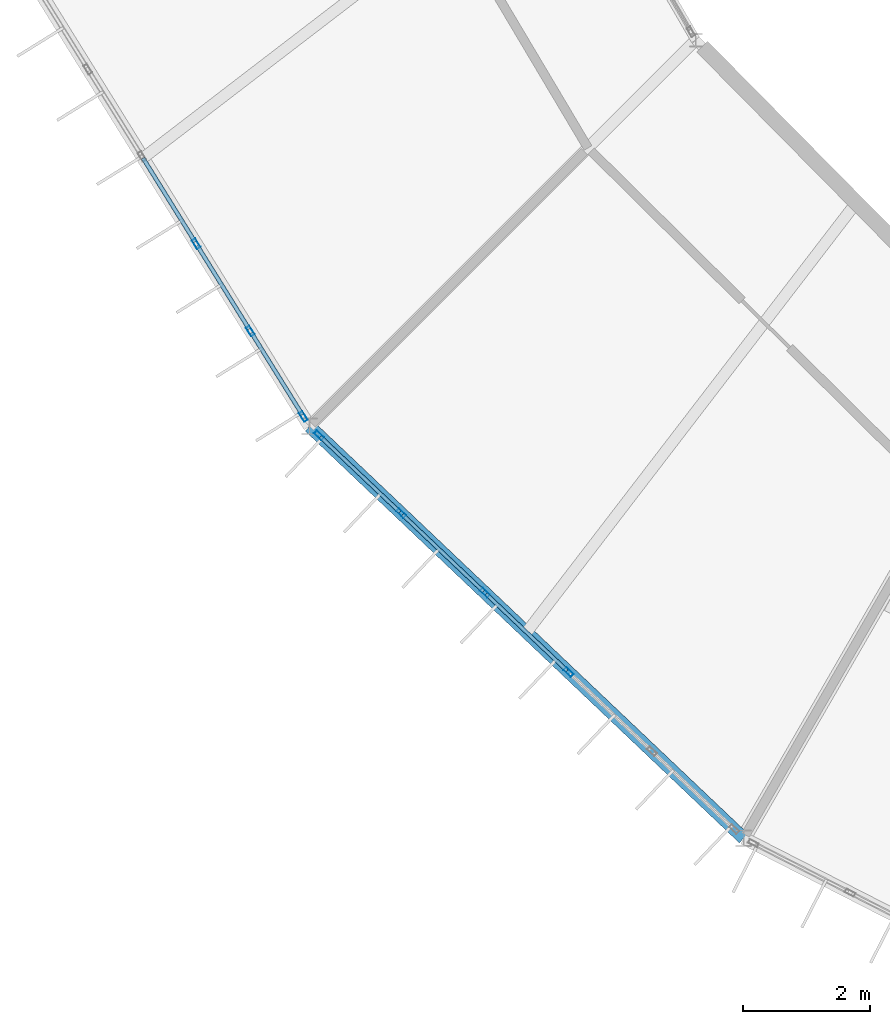
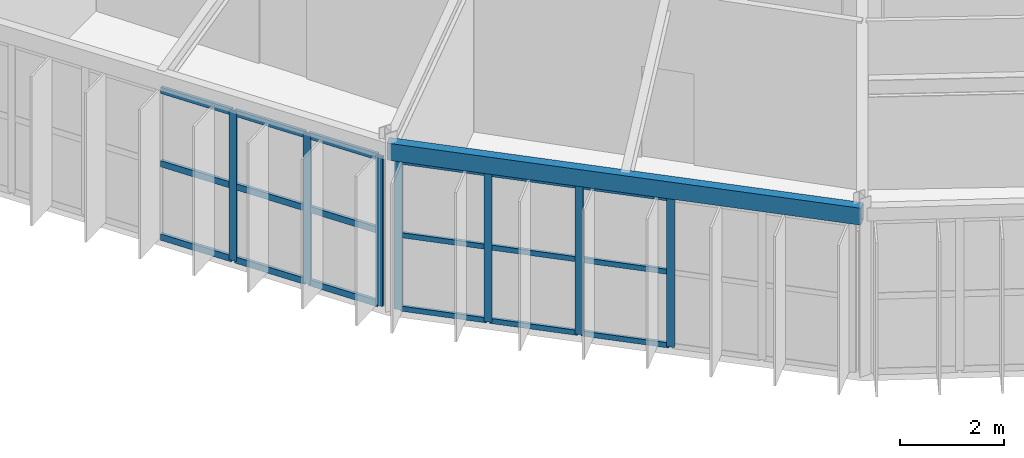
# One storey, part 23 of 134: 25 members, 1 beam, 2 elements without a shape of their own.
"""IFC4 building model written with IfcOpenShell, lengths in metres."""

from ifc_helpers import new_model, si_unit, direction, frame, origin, origin_2d, place, context, subcontext, project, spatial, hollow_rectangle, extrude, material, material_profile, profile_set, type_object, element, aggregate, save


model = new_model("IFC4")

# Units and contexts
model_context = context("Model", 3, precision=1e-05, world=origin(), true_north=direction((0.0, 1.0)))
body_context = subcontext(model_context, "Body", "Model", "MODEL_VIEW")
ifc_project = project(units=[si_unit("LENGTHUNIT", "METRE"), si_unit("AREAUNIT", "SQUARE_METRE"), si_unit("VOLUMEUNIT", "CUBIC_METRE"), si_unit("PLANEANGLEUNIT", "RADIAN"), si_unit("MASSUNIT", "GRAM", prefix="KILO")], contexts=[model_context])

# Site, building, storey
site_placement = place(None, origin())
site = spatial("IfcSite", under=ifc_project, at=site_placement, CompositionType="ELEMENT")
building_placement = place(site_placement, origin())
building = spatial("IfcBuilding", under=site, at=building_placement, Name="Karori Crest Natural Sciences Institute", CompositionType="ELEMENT")
storey_placement = place(building_placement, frame((0.0, 0.0, 21.699951171875)))
storey = spatial("IfcBuildingStorey", under=building, at=storey_placement, Name="L05", CompositionType="ELEMENT", Elevation=21.699951171875)

# Beam
ifc_material_1 = material(Name="Hollow structural steel AS/NZS 1163 Grade C350", Category="steel")
ifc_material_profile_1 = material_profile(ifc_material_1, hollow_rectangle(XDim=0.199951171875, YDim=0.39990234375, WallThickness=0.012451171875, at=origin_2d()), Name="RHS400x200x12.5")
ifc_profile_set_1 = profile_set([ifc_material_profile_1], Name="Hollow structural steel AS/NZS 1163 Grade C350")
beam_type = type_object("IfcBeamType", Name="BT-14", PredefinedType="SPANDREL", material=ifc_profile_set_1)
beam_placement = place(storey_placement, frame((43.0654296875, 21.050048828125, 3.739990234375), z_axis=(0.72546900706, -0.688254836376, 0.0), x_axis=(0.688254836376, 0.72546900706, 0.0)))
element("IfcBeam", 1, at=beam_placement, inside=storey, type_object=beam_type, Name="Beam B-0689", PredefinedType="SPANDREL", context=body_context, shape_type="SweptSolid", body=[
    extrude(hollow_rectangle(XDim=0.199951171875, YDim=0.39990234375, WallThickness=0.012451171875, at=origin_2d()), origin(), (0.0, 0.0, 1.0), 9.420654296875),
])

# Curtain wall, members
ifc_material_2 = material(Name="Anodised architectural aluminium 6063-T6", Category="aluminium")
curtain_wall_type_1 = type_object("IfcCurtainWallType", Name="CWT-05", PredefinedType="NOTDEFINED", material=ifc_material_2)
curtain_wall_1_placement = place(storey_placement, origin())
curtain_wall_1 = element("IfcCurtainWall", 2, at=curtain_wall_1_placement, inside=storey, type_object=curtain_wall_type_1, Name="Curtain wall CW-0193", PredefinedType="NOTDEFINED")
ifc_material_profile_2 = material_profile(ifc_material_2, hollow_rectangle(XDim=0.06494140625, YDim=0.159912109375, WallThickness=0.00390625, at=origin_2d()), Name="CWM160x65x4")
ifc_profile_set_2 = profile_set([ifc_material_profile_2], Name="Anodised architectural aluminium 6063-T6")
member_type_1 = type_object("IfcMemberType", Name="CWM-01", PredefinedType="MULLION", material=ifc_profile_set_2)
member_1_placement = place(storey_placement, frame((42.96875, 21.205810546875, 0.0), z_axis=(0.0, 0.0, 1.0), x_axis=(-0.849661985715, -0.527327706489, 0.0)))
member_1 = element("IfcMember", 3, at=member_1_placement, type_object=member_type_1, Name="CW-0193 mullion 1", PredefinedType="MULLION", context=body_context, shape_type="SweptSolid", body=[
    extrude(hollow_rectangle(XDim=0.06494140625, YDim=0.159912109375, WallThickness=0.00390625, at=origin_2d()), origin(), (0.0, 0.0, 1.0), 3.525146484375),
])
member_2_placement = place(storey_placement, frame((42.13330078125, 22.552001953125, 0.0), z_axis=(0.0, 0.0, 1.0), x_axis=(-0.849661985715, -0.527327706489, 0.0)))
member_2 = element("IfcMember", 4, at=member_2_placement, type_object=member_type_1, Name="CW-0193 mullion 2", PredefinedType="MULLION", context=body_context, shape_type="SweptSolid", body=[
    extrude(hollow_rectangle(XDim=0.06494140625, YDim=0.159912109375, WallThickness=0.00390625, at=origin_2d()), origin(), (0.0, 0.0, 1.0), 3.525146484375),
])
member_3_placement = place(storey_placement, frame((41.28076171875, 23.92578125, 0.0), z_axis=(0.0, 0.0, 1.0), x_axis=(-0.849661985715, -0.527327706489, 0.0)))
member_3 = element("IfcMember", 5, at=member_3_placement, type_object=member_type_1, Name="CW-0193 mullion 3", PredefinedType="MULLION", context=body_context, shape_type="SweptSolid", body=[
    extrude(hollow_rectangle(XDim=0.06494140625, YDim=0.159912109375, WallThickness=0.00390625, at=origin_2d()), origin(), (0.0, 0.0, 1.0), 3.525146484375),
])

curtain_wall_type_2 = type_object("IfcCurtainWallType", Name="CWT-06", PredefinedType="NOTDEFINED", material=ifc_material_2)
curtain_wall_2_placement = place(storey_placement, origin())
curtain_wall_2 = element("IfcCurtainWall", 6, at=curtain_wall_2_placement, inside=storey, type_object=curtain_wall_type_2, Name="Curtain wall CW-0195", PredefinedType="NOTDEFINED")
member_4_placement = place(storey_placement, frame((47.141357421875, 17.18310546875, 0.0), z_axis=(0.0, 0.0, 1.0), x_axis=(-0.688252251648, -0.725471459192, 0.0)))
member_4 = element("IfcMember", 7, at=member_4_placement, type_object=member_type_1, Name="CW-0195 mullion 3", PredefinedType="MULLION", context=body_context, shape_type="SweptSolid", body=[
    extrude(hollow_rectangle(XDim=0.06494140625, YDim=0.159912109375, WallThickness=0.00390625, at=origin_2d()), origin(), (0.0, 0.0, 1.0), 3.525146484375),
])
member_5_placement = place(storey_placement, frame((45.824951171875, 18.43212890625, 0.0), z_axis=(0.0, 0.0, 1.0), x_axis=(-0.688252251648, -0.725471459192, 0.0)))
member_5 = element("IfcMember", 8, at=member_5_placement, type_object=member_type_1, Name="CW-0195 mullion 4", PredefinedType="MULLION", context=body_context, shape_type="SweptSolid", body=[
    extrude(hollow_rectangle(XDim=0.06494140625, YDim=0.159912109375, WallThickness=0.00390625, at=origin_2d()), origin(), (0.0, 0.0, 1.0), 3.525146484375),
])
member_6_placement = place(storey_placement, frame((44.508544921875, 19.68115234375, 0.0), z_axis=(0.0, 0.0, 1.0), x_axis=(-0.688252251648, -0.725471459192, 0.0)))
member_6 = element("IfcMember", 9, at=member_6_placement, type_object=member_type_1, Name="CW-0195 mullion 5", PredefinedType="MULLION", context=body_context, shape_type="SweptSolid", body=[
    extrude(hollow_rectangle(XDim=0.06494140625, YDim=0.159912109375, WallThickness=0.00390625, at=origin_2d()), origin(), (0.0, 0.0, 1.0), 3.525146484375),
])
member_7_placement = place(storey_placement, frame((43.215576171875, 20.90771484375, 0.0), z_axis=(0.0, 0.0, 1.0), x_axis=(-0.688252251648, -0.725471459192, 0.0)))
member_7 = element("IfcMember", 10, at=member_7_placement, type_object=member_type_1, Name="CW-0195 mullion 6", PredefinedType="MULLION", context=body_context, shape_type="SweptSolid", body=[
    extrude(hollow_rectangle(XDim=0.06494140625, YDim=0.159912109375, WallThickness=0.00390625, at=origin_2d()), origin(), (0.0, 0.0, 1.0), 3.525146484375),
])
ifc_material_profile_3 = material_profile(ifc_material_2, hollow_rectangle(XDim=0.06005859375, YDim=0.1201171875, WallThickness=0.00390625, at=origin_2d()), Name="CWT120x60x4")
ifc_profile_set_3 = profile_set([ifc_material_profile_3], Name="Anodised architectural aluminium 6063-T6")
member_type_2 = type_object("IfcMemberType", Name="CWT-TR1", PredefinedType="USERDEFINED", material=ifc_profile_set_3)
member_8_placement = place(storey_placement, frame((47.117919921875, 17.20556640625, 0.030029296875), z_axis=(-0.725490496247, 0.688232184553, 0.0), x_axis=(-0.688232184553, -0.725490496247, 0.0)))
member_8 = element("IfcMember", 11, at=member_8_placement, type_object=member_type_2, Name="CW-0195 transom 3.1", ObjectType="TRANSOM", PredefinedType="USERDEFINED", context=body_context, shape_type="SweptSolid", body=[
    extrude(hollow_rectangle(XDim=0.06005859375, YDim=0.1201171875, WallThickness=0.00390625, at=origin_2d()), origin(), (0.0, 0.0, 1.0), 1.74951171875),
])
member_9_placement = place(storey_placement, frame((47.117919921875, 17.20556640625, 1.762451171875), z_axis=(-0.725490496247, 0.688232184553, 0.0), x_axis=(-0.688232184553, -0.725490496247, 0.0)))
member_9 = element("IfcMember", 12, at=member_9_placement, type_object=member_type_2, Name="CW-0195 transom 3.2", ObjectType="TRANSOM", PredefinedType="USERDEFINED", context=body_context, shape_type="SweptSolid", body=[
    extrude(hollow_rectangle(XDim=0.06005859375, YDim=0.1201171875, WallThickness=0.00390625, at=origin_2d()), origin(), (0.0, 0.0, 1.0), 1.74951171875),
])
member_10_placement = place(storey_placement, frame((47.117919921875, 17.20556640625, 3.4951171875), z_axis=(-0.725490496247, 0.688232184553, 0.0), x_axis=(-0.688232184553, -0.725490496247, 0.0)))
member_10 = element("IfcMember", 13, at=member_10_placement, type_object=member_type_2, Name="CW-0195 transom 3.3", ObjectType="TRANSOM", PredefinedType="USERDEFINED", context=body_context, shape_type="SweptSolid", body=[
    extrude(hollow_rectangle(XDim=0.06005859375, YDim=0.1201171875, WallThickness=0.00390625, at=origin_2d()), origin(), (0.0, 0.0, 1.0), 1.74951171875),
])
member_11_placement = place(storey_placement, frame((45.80126953125, 18.45458984375, 0.030029296875), z_axis=(-0.725490496247, 0.688232184553, 0.0), x_axis=(-0.688232184553, -0.725490496247, 0.0)))
member_11 = element("IfcMember", 14, at=member_11_placement, type_object=member_type_2, Name="CW-0195 transom 4.1", ObjectType="TRANSOM", PredefinedType="USERDEFINED", context=body_context, shape_type="SweptSolid", body=[
    extrude(hollow_rectangle(XDim=0.06005859375, YDim=0.1201171875, WallThickness=0.00390625, at=origin_2d()), origin(), (0.0, 0.0, 1.0), 1.74951171875),
])
member_12_placement = place(storey_placement, frame((45.80126953125, 18.45458984375, 1.762451171875), z_axis=(-0.725490496247, 0.688232184553, 0.0), x_axis=(-0.688232184553, -0.725490496247, 0.0)))
member_12 = element("IfcMember", 15, at=member_12_placement, type_object=member_type_2, Name="CW-0195 transom 4.2", ObjectType="TRANSOM", PredefinedType="USERDEFINED", context=body_context, shape_type="SweptSolid", body=[
    extrude(hollow_rectangle(XDim=0.06005859375, YDim=0.1201171875, WallThickness=0.00390625, at=origin_2d()), origin(), (0.0, 0.0, 1.0), 1.74951171875),
])
member_13_placement = place(storey_placement, frame((45.80126953125, 18.45458984375, 3.4951171875), z_axis=(-0.725490496247, 0.688232184553, 0.0), x_axis=(-0.688232184553, -0.725490496247, 0.0)))
member_13 = element("IfcMember", 16, at=member_13_placement, type_object=member_type_2, Name="CW-0195 transom 4.3", ObjectType="TRANSOM", PredefinedType="USERDEFINED", context=body_context, shape_type="SweptSolid", body=[
    extrude(hollow_rectangle(XDim=0.06005859375, YDim=0.1201171875, WallThickness=0.00390625, at=origin_2d()), origin(), (0.0, 0.0, 1.0), 1.74951171875),
])
member_14_placement = place(storey_placement, frame((44.48486328125, 19.703369140625, 0.030029296875), z_axis=(-0.725418188491, 0.688308398762, 0.0), x_axis=(-0.688308398762, -0.725418188491, 0.0)))
member_14 = element("IfcMember", 17, at=member_14_placement, type_object=member_type_2, Name="CW-0195 transom 5.1", ObjectType="TRANSOM", PredefinedType="USERDEFINED", context=body_context, shape_type="SweptSolid", body=[
    extrude(hollow_rectangle(XDim=0.06005859375, YDim=0.1201171875, WallThickness=0.00390625, at=origin_2d()), origin(), (0.0, 0.0, 1.0), 1.717041015625),
])
member_15_placement = place(storey_placement, frame((44.48486328125, 19.703369140625, 1.762451171875), z_axis=(-0.725418188491, 0.688308398762, 0.0), x_axis=(-0.688308398762, -0.725418188491, 0.0)))
member_15 = element("IfcMember", 18, at=member_15_placement, type_object=member_type_2, Name="CW-0195 transom 5.2", ObjectType="TRANSOM", PredefinedType="USERDEFINED", context=body_context, shape_type="SweptSolid", body=[
    extrude(hollow_rectangle(XDim=0.06005859375, YDim=0.1201171875, WallThickness=0.00390625, at=origin_2d()), origin(), (0.0, 0.0, 1.0), 1.717041015625),
])
member_16_placement = place(storey_placement, frame((44.48486328125, 19.703369140625, 3.4951171875), z_axis=(-0.725418188491, 0.688308398762, 0.0), x_axis=(-0.688308398762, -0.725418188491, 0.0)))
member_16 = element("IfcMember", 19, at=member_16_placement, type_object=member_type_2, Name="CW-0195 transom 5.3", ObjectType="TRANSOM", PredefinedType="USERDEFINED", context=body_context, shape_type="SweptSolid", body=[
    extrude(hollow_rectangle(XDim=0.06005859375, YDim=0.1201171875, WallThickness=0.00390625, at=origin_2d()), origin(), (0.0, 0.0, 1.0), 1.717041015625),
])
aggregate(curtain_wall_2, [member_4, member_5, member_6, member_7, member_8, member_9, member_10, member_11, member_12, member_13, member_14, member_15, member_16])

# Member
ifc_material_profile_4 = material_profile(ifc_material_2, hollow_rectangle(XDim=0.06494140625, YDim=0.14990234375, WallThickness=0.00390625, at=origin_2d()), Name="CWT150x65x4")
ifc_profile_set_4 = profile_set([ifc_material_profile_4], Name="Anodised architectural aluminium 6063-T6")
member_type_3 = type_object("IfcMemberType", Name="CWT-TR2", PredefinedType="USERDEFINED", material=ifc_profile_set_4)
member_17_placement = place(storey_placement, frame((42.95166015625, 21.233642578125, 0.032470703125), z_axis=(-0.527410863432, 0.84961037019, 0.0), x_axis=(-0.84961037019, -0.527410863432, 0.0)))
member_17 = element("IfcMember", 20, at=member_17_placement, type_object=member_type_3, Name="CW-0193 transom 1.1", ObjectType="TRANSOM", PredefinedType="USERDEFINED", context=body_context, shape_type="SweptSolid", body=[
    extrude(hollow_rectangle(XDim=0.06494140625, YDim=0.14990234375, WallThickness=0.00390625, at=origin_2d()), origin(), (0.0, 0.0, 1.0), 1.519287109375),
])

member_18_placement = place(storey_placement, frame((42.95166015625, 21.233642578125, 1.762451171875), z_axis=(-0.527410863432, 0.84961037019, 0.0), x_axis=(-0.84961037019, -0.527410863432, 0.0)))
member_18 = element("IfcMember", 21, at=member_18_placement, type_object=member_type_3, Name="CW-0193 transom 1.2", ObjectType="TRANSOM", PredefinedType="USERDEFINED", context=body_context, shape_type="SweptSolid", body=[
    extrude(hollow_rectangle(XDim=0.06494140625, YDim=0.14990234375, WallThickness=0.00390625, at=origin_2d()), origin(), (0.0, 0.0, 1.0), 1.519287109375),
])

member_19_placement = place(storey_placement, frame((42.95166015625, 21.233642578125, 3.492431640625), z_axis=(-0.527410863432, 0.84961037019, 0.0), x_axis=(-0.84961037019, -0.527410863432, 0.0)))
member_19 = element("IfcMember", 22, at=member_19_placement, type_object=member_type_3, Name="CW-0193 transom 1.3", ObjectType="TRANSOM", PredefinedType="USERDEFINED", context=body_context, shape_type="SweptSolid", body=[
    extrude(hollow_rectangle(XDim=0.06494140625, YDim=0.14990234375, WallThickness=0.00390625, at=origin_2d()), origin(), (0.0, 0.0, 1.0), 1.519287109375),
])

member_20_placement = place(storey_placement, frame((42.1162109375, 22.57958984375, 0.032470703125), z_axis=(-0.527323700977, 0.849664471652, 0.0), x_axis=(-0.849664471652, -0.527323700977, 0.0)))
member_20 = element("IfcMember", 23, at=member_20_placement, type_object=member_type_3, Name="CW-0193 transom 2.1", ObjectType="TRANSOM", PredefinedType="USERDEFINED", context=body_context, shape_type="SweptSolid", body=[
    extrude(hollow_rectangle(XDim=0.06494140625, YDim=0.14990234375, WallThickness=0.00390625, at=origin_2d()), origin(), (0.0, 0.0, 1.0), 1.552001953125),
])

member_21_placement = place(storey_placement, frame((42.1162109375, 22.57958984375, 1.762451171875), z_axis=(-0.527323700977, 0.849664471652, 0.0), x_axis=(-0.849664471652, -0.527323700977, 0.0)))
member_21 = element("IfcMember", 24, at=member_21_placement, type_object=member_type_3, Name="CW-0193 transom 2.2", ObjectType="TRANSOM", PredefinedType="USERDEFINED", context=body_context, shape_type="SweptSolid", body=[
    extrude(hollow_rectangle(XDim=0.06494140625, YDim=0.14990234375, WallThickness=0.00390625, at=origin_2d()), origin(), (0.0, 0.0, 1.0), 1.552001953125),
])

member_22_placement = place(storey_placement, frame((42.1162109375, 22.57958984375, 3.492431640625), z_axis=(-0.527323700977, 0.849664471652, 0.0), x_axis=(-0.849664471652, -0.527323700977, 0.0)))
member_22 = element("IfcMember", 25, at=member_22_placement, type_object=member_type_3, Name="CW-0193 transom 2.3", ObjectType="TRANSOM", PredefinedType="USERDEFINED", context=body_context, shape_type="SweptSolid", body=[
    extrude(hollow_rectangle(XDim=0.06494140625, YDim=0.14990234375, WallThickness=0.00390625, at=origin_2d()), origin(), (0.0, 0.0, 1.0), 1.552001953125),
])

member_23_placement = place(storey_placement, frame((41.263671875, 23.953369140625, 0.032470703125), z_axis=(-0.527323700977, 0.849664471652, 0.0), x_axis=(-0.849664471652, -0.527323700977, 0.0)))
member_23 = element("IfcMember", 26, at=member_23_placement, type_object=member_type_3, Name="CW-0193 transom 3.1", ObjectType="TRANSOM", PredefinedType="USERDEFINED", context=body_context, shape_type="SweptSolid", body=[
    extrude(hollow_rectangle(XDim=0.06494140625, YDim=0.14990234375, WallThickness=0.00390625, at=origin_2d()), origin(), (0.0, 0.0, 1.0), 1.552001953125),
])

member_24_placement = place(storey_placement, frame((41.263671875, 23.953369140625, 1.762451171875), z_axis=(-0.527323700977, 0.849664471652, 0.0), x_axis=(-0.849664471652, -0.527323700977, 0.0)))
member_24 = element("IfcMember", 27, at=member_24_placement, type_object=member_type_3, Name="CW-0193 transom 3.2", ObjectType="TRANSOM", PredefinedType="USERDEFINED", context=body_context, shape_type="SweptSolid", body=[
    extrude(hollow_rectangle(XDim=0.06494140625, YDim=0.14990234375, WallThickness=0.00390625, at=origin_2d()), origin(), (0.0, 0.0, 1.0), 1.552001953125),
])

member_25_placement = place(storey_placement, frame((41.263671875, 23.953369140625, 3.492431640625), z_axis=(-0.527323700977, 0.849664471652, 0.0), x_axis=(-0.849664471652, -0.527323700977, 0.0)))
member_25 = element("IfcMember", 28, at=member_25_placement, type_object=member_type_3, Name="CW-0193 transom 3.3", ObjectType="TRANSOM", PredefinedType="USERDEFINED", context=body_context, shape_type="SweptSolid", body=[
    extrude(hollow_rectangle(XDim=0.06494140625, YDim=0.14990234375, WallThickness=0.00390625, at=origin_2d()), origin(), (0.0, 0.0, 1.0), 1.552001953125),
])

aggregate(curtain_wall_1, [member_1, member_2, member_3, member_17, member_18, member_19, member_20, member_21, member_22, member_23, member_24, member_25])

save(model, "model.ifc")
